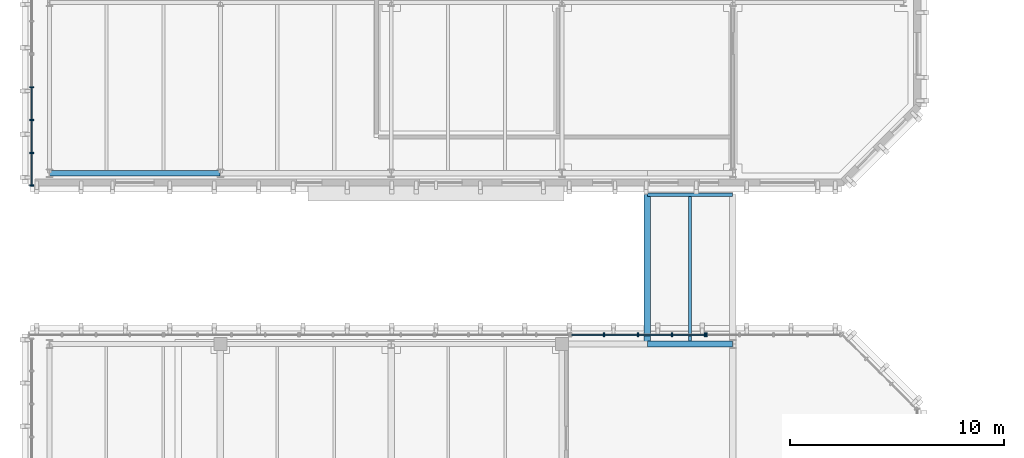
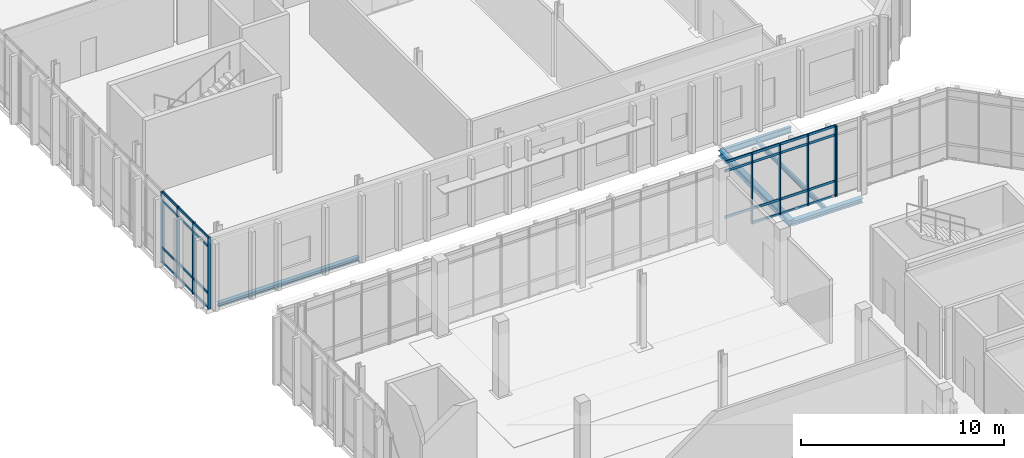
# One storey, part 17 of 62: 36 members, 5 beams, 3 elements without a shape of their own.
"""IFC4 building model written with IfcOpenShell, lengths in metres."""

import ifcopenshell
import ifcopenshell.guid

model = None  # the IFC model being written
_history = None  # IfcOwnerHistory: only IFC2X3 demands one
_inside = {}  # id of a spatial element -> (the spatial element, [elements in it])
_under = {}  # id of a project, library or spatial element -> (it, [spatial elements below it])
_declared = {}  # id of a project -> (the project, [libraries it declares])
_typed = {}  # id of a type object -> (the type object, [elements of that type])
_made_of = {}  # id of a material, layer set ... -> (it, [elements and type objects made of it])


def new_model(schema):
    """Start an empty IFC model of exactly this schema.

    Asked for "IFC4X3", IfcOpenShell would pick the latest addendum, in which some entities
    have other attributes; the version numbers below select the first issue.
    IFC2X3 requires an IfcOwnerHistory on every rooted entity: one is made here for all.
    """
    global model, _history
    if schema == "IFC4X3":
        model = ifcopenshell.file(schema_version=(4, 3, 0, 0))
    else:
        model = ifcopenshell.file(schema=schema)
    _inside.clear()
    _under.clear()
    _declared.clear()
    _typed.clear()
    _made_of.clear()
    _history = None
    if model.schema == "IFC2X3":
        org = make("IfcOrganization", Name="unknown")
        user = make(
            "IfcPersonAndOrganization",
            ThePerson=make("IfcPerson", FamilyName="unknown"),
            TheOrganization=org,
        )
        app = make(
            "IfcApplication",
            ApplicationDeveloper=org,
            Version="unknown",
            ApplicationFullName="unknown",
            ApplicationIdentifier="unknown",
        )
        _history = make(
            "IfcOwnerHistory",
            OwningUser=user,
            OwningApplication=app,
            ChangeAction="ADDED",
            CreationDate=0,
        )
    return model


def make(cls, **values):
    """One entity of the class cls with the attributes given. An attribute that is None is left unset."""
    return model.create_entity(
        cls, **{name: value for name, value in values.items() if value is not None}
    )


def rooted(cls, **values):
    """An entity with a GlobalId (a new one), such as an element, a storey or a relation."""
    return make(cls, GlobalId=ifcopenshell.guid.new(), OwnerHistory=_history, **values)


def si_unit(unit_type, name, prefix=None):
    """IfcSIUnit, for example si_unit("LENGTHUNIT", "METRE", prefix="MILLI")."""
    return make("IfcSIUnit", UnitType=unit_type, Prefix=prefix, Name=name)


def assignment(units):
    """IfcUnitAssignment: the units of a project."""
    return None if units is None else make("IfcUnitAssignment", Units=units)


def point(xyz):
    """IfcCartesianPoint."""
    return None if xyz is None else make("IfcCartesianPoint", Coordinates=xyz)


def direction(xyz):
    """IfcDirection."""
    return None if xyz is None else make("IfcDirection", DirectionRatios=xyz)


def frame(location, z_axis=None, x_axis=None):
    """IfcAxis2Placement3D, a coordinate frame: its origin and axes. An axis left out is left unset."""
    return make(
        "IfcAxis2Placement3D",
        Location=point(location),
        Axis=direction(z_axis),
        RefDirection=direction(x_axis),
    )


def frame_2d(location, x_axis=None):
    """IfcAxis2Placement2D, a coordinate frame in the plane: its origin and x axis."""
    return make(
        "IfcAxis2Placement2D", Location=point(location), RefDirection=direction(x_axis)
    )


def origin():
    """The frame at (0, 0, 0) with its axes left unset."""
    return frame((0.0, 0.0, 0.0))


def origin_2d():
    """The frame at (0, 0) in the plane with its x axis left unset."""
    return frame_2d((0.0, 0.0))


def place(relative_to, where):
    """IfcLocalPlacement: puts the frame where relative to a parent placement (None: the world)."""
    return make(
        "IfcLocalPlacement", PlacementRelTo=relative_to, RelativePlacement=where
    )


def context(
    kind, dimensions, precision=None, world=None, true_north=None, identifier=None
):
    """IfcGeometricRepresentationContext, for example the 3D "Model" context."""
    return make(
        "IfcGeometricRepresentationContext",
        ContextIdentifier=identifier,
        ContextType=kind,
        CoordinateSpaceDimension=dimensions,
        Precision=precision,
        WorldCoordinateSystem=world,
        TrueNorth=true_north,
    )


def subcontext(parent, identifier, kind, view, scale=None):
    """IfcGeometricRepresentationSubContext, for example "Body" below "Model"."""
    return make(
        "IfcGeometricRepresentationSubContext",
        ContextIdentifier=identifier,
        ContextType=kind,
        ParentContext=parent,
        TargetScale=scale,
        TargetView=view,
    )


def project(units=None, contexts=None):
    """IfcProject with its units and contexts."""
    return rooted(
        "IfcProject",
        Name="project",
        RepresentationContexts=contexts,
        UnitsInContext=assignment(units),
    )


def spatial(cls, under=None, at=None, **own):
    """A site, building, storey or space (cls), placed at a placement, below another one or the project."""
    s = rooted(cls, ObjectPlacement=at, **own)
    if under is not None:
        _under.setdefault(under.id(), (under, []))[1].append(s)
    return s


def profile(cls, at=None, kind="AREA", **sizes):
    """A parametric profile (cls). Its sizes go by their IFC names, for example OverallWidth=200.0."""
    return make(cls, ProfileType=kind, Position=at, **sizes)


def rectangle(**sizes):
    """IfcRectangleProfileDef."""
    return profile("IfcRectangleProfileDef", **sizes)


def i_section(**sizes):
    """IfcIShapeProfileDef."""
    return profile("IfcIShapeProfileDef", **sizes)


def extrude(swept, where, along, depth):
    """IfcExtrudedAreaSolid: the profile swept, set in the frame where, extruded along a direction by depth."""
    return make(
        "IfcExtrudedAreaSolid",
        SweptArea=swept,
        Position=where,
        ExtrudedDirection=direction(along),
        Depth=depth,
    )


def shape(context_of_items, identifier, shape_type, items):
    """IfcShapeRepresentation: the items that make up one representation, for example the "Body"."""
    return make(
        "IfcShapeRepresentation",
        ContextOfItems=context_of_items,
        RepresentationIdentifier=identifier,
        RepresentationType=shape_type,
        Items=items,
    )


def material(Name=None, Category=None):
    """IfcMaterial."""
    return make("IfcMaterial", Name=Name, Category=Category)


def material_profile(
    of_material, cross_section, Name=None, Category=None, Priority=None
):
    """IfcMaterialProfile: a cross section and its material."""
    return make(
        "IfcMaterialProfile",
        Name=Name,
        Material=of_material,
        Profile=cross_section,
        Priority=Priority,
        Category=Category,
    )


def profile_set(profiles, Name=None, composite=None):
    """IfcMaterialProfileSet."""
    return make(
        "IfcMaterialProfileSet",
        Name=Name,
        MaterialProfiles=profiles,
        CompositeProfile=composite,
    )


def made_of(thing, what):
    """Note that an element or type object is made of a material, layer set ...; save() writes the relation."""
    if what is not None:
        _made_of.setdefault(what.id(), (what, []))[1].append(thing)
    return thing


def type_object(cls, material=None, **own):
    """A type object (cls), such as IfcWallType, which elements share."""
    return made_of(rooted(cls, **own), material)


def element(
    cls,
    number,
    at=None,
    inside=None,
    cuts=None,
    type_object=None,
    material=None,
    context=None,
    identifier="Body",
    shape_type=None,
    held_by="IfcProductDefinitionShape",
    body=None,
    shapes=None,
    **own,
):
    """One element of the class cls, such as IfcWall. Its Tag is "e" and its number.

    at: its placement. inside: the storey or other place that contains it. cuts: it is an
    opening in that element (IfcRelVoidsElement). A single representation is given by context,
    identifier, shape_type and body (its items); several are given by shapes. held_by: the class
    of the entity that holds the representations. save() writes the other relations.
    """
    e = rooted(cls, Tag="e%d" % number, ObjectPlacement=at, **own)
    if body is not None:
        shapes = [shape(context, identifier, shape_type, body)]
    if shapes is not None:
        e.Representation = make(held_by, Representations=shapes)
    if inside is not None:
        _inside.setdefault(inside.id(), (inside, []))[1].append(e)
    if cuts is not None:
        rooted(
            "IfcRelVoidsElement", RelatingBuildingElement=cuts, RelatedOpeningElement=e
        )
    if type_object is not None:
        _typed.setdefault(type_object.id(), (type_object, []))[1].append(e)
    return made_of(e, material)


def aggregate(whole, parts):
    """IfcRelAggregates: a whole, such as a stair, and the parts it consists of."""
    return rooted("IfcRelAggregates", RelatingObject=whole, RelatedObjects=parts)


def save(model, path):
    """Write the relations noted so far, then the file.

    IfcRelAggregates (storeys below a building ...), IfcRelContainedInSpatialStructure (elements
    in a storey), IfcRelDefinesByType, IfcRelAssociatesMaterial and IfcRelDeclares: one each for
    every whole, place, type object, material and project.
    """
    for whole, parts in _under.values():
        aggregate(whole, parts)
    for where, things in _inside.values():
        rooted(
            "IfcRelContainedInSpatialStructure",
            RelatedElements=things,
            RelatingStructure=where,
        )
    for kind, things in _typed.values():
        rooted("IfcRelDefinesByType", RelatedObjects=things, RelatingType=kind)
    for what, things in _made_of.values():
        rooted("IfcRelAssociatesMaterial", RelatedObjects=things, RelatingMaterial=what)
    for by, libraries in _declared.values():
        rooted("IfcRelDeclares", RelatingContext=by, RelatedDefinitions=libraries)
    model.write(path)


model = new_model("IFC4")

# Units and contexts
model_context = context("Model", 3, precision=1e-05, world=origin(), true_north=direction((0.0, 1.0)))
body_context = subcontext(model_context, "Body", "Model", "MODEL_VIEW")
ifc_project = project(units=[si_unit("LENGTHUNIT", "METRE"), si_unit("AREAUNIT", "SQUARE_METRE"), si_unit("VOLUMEUNIT", "CUBIC_METRE"), si_unit("PLANEANGLEUNIT", "RADIAN"), si_unit("MASSUNIT", "GRAM", prefix="KILO")], contexts=[model_context])

# Site, building, storey
site_placement = place(None, origin())
site = spatial("IfcSite", under=ifc_project, at=site_placement, CompositionType="ELEMENT")
building_placement = place(site_placement, origin())
building = spatial("IfcBuilding", under=site, at=building_placement, Name="Cymarion Research Institute", CompositionType="ELEMENT")
storey_placement = place(building_placement, frame((0.0, 0.0, 18.300048828125)))
storey = spatial("IfcBuildingStorey", under=building, at=storey_placement, Name="L04", CompositionType="ELEMENT", Elevation=18.300048828125)

# Curtain wall, member
ifc_material_1 = material(Name="Anodised aluminium unitised curtain wall with Low-E glazing", Category="aluminium")
curtain_wall_type_1 = type_object("IfcCurtainWallType", Name="UNITISED CURTAIN WALL CW42 6350X4240", PredefinedType="NOTDEFINED", material=ifc_material_1)
curtain_wall_1_placement = place(storey_placement, origin())
curtain_wall_1 = element("IfcCurtainWall", 1, at=curtain_wall_1_placement, inside=storey, type_object=curtain_wall_type_1, Name="L04 V4 unitised curtain wall CW42 #182", PredefinedType="NOTDEFINED")
ifc_material_2 = material(Name="Anodised aluminium framing", Category="aluminium")
ifc_material_profile_1 = material_profile(ifc_material_2, rectangle(XDim=0.06005859375, YDim=0.179931640625, at=origin_2d()), Name="ALU MULLION 60x180")
ifc_profile_set_1 = profile_set([ifc_material_profile_1], Name="Anodised aluminium framing")
member_type_1 = type_object("IfcMemberType", Name="CURTAIN WALL MULLION ML01 60X180", PredefinedType="MULLION", material=ifc_profile_set_1)
member_1_placement = place(storey_placement, frame((37.361083984375, 77.929931640625, 0.0), z_axis=(0.0, 0.0, 1.0), x_axis=(-1.0, 0.0, 0.0)))
member_1 = element("IfcMember", 2, at=member_1_placement, type_object=member_type_1, Name="CW42 mullion 5", PredefinedType="MULLION", context=body_context, shape_type="SweptSolid", body=[
    extrude(rectangle(XDim=0.06005859375, YDim=0.179931640625, at=origin_2d()), origin(), (0.0, 0.0, 1.0), 4.239990234375),
])
aggregate(curtain_wall_1, [member_1])

# Curtain wall, members
curtain_wall_2_placement = place(storey_placement, origin())
curtain_wall_2 = element("IfcCurtainWall", 3, at=curtain_wall_2_placement, inside=storey, type_object=curtain_wall_type_1, Name="L04 V4 unitised curtain wall CW42 #183", PredefinedType="NOTDEFINED")
member_2_placement = place(storey_placement, frame((37.301025390625, 77.929931640625, 0.0), z_axis=(0.0, 0.0, 1.0), x_axis=(-1.0, 0.0, 0.0)))
member_2 = element("IfcMember", 4, at=member_2_placement, type_object=member_type_1, Name="CW42 mullion 1", PredefinedType="MULLION", context=body_context, shape_type="SweptSolid", body=[
    extrude(rectangle(XDim=0.06005859375, YDim=0.179931640625, at=origin_2d()), origin(), (0.0, 0.0, 1.0), 4.239990234375),
])
member_3_placement = place(storey_placement, frame((35.744384765625, 77.929931640625, 0.0), z_axis=(0.0, 0.0, 1.0), x_axis=(-1.0, 0.0, 0.0)))
member_3 = element("IfcMember", 5, at=member_3_placement, type_object=member_type_1, Name="CW42 mullion 2", PredefinedType="MULLION", context=body_context, shape_type="SweptSolid", body=[
    extrude(rectangle(XDim=0.06005859375, YDim=0.179931640625, at=origin_2d()), origin(), (0.0, 0.0, 1.0), 4.239990234375),
])
member_4_placement = place(storey_placement, frame((34.157958984375, 77.929931640625, 0.0), z_axis=(0.0, 0.0, 1.0), x_axis=(-1.0, 0.0, 0.0)))
member_4 = element("IfcMember", 6, at=member_4_placement, type_object=member_type_1, Name="CW42 mullion 3", PredefinedType="MULLION", context=body_context, shape_type="SweptSolid", body=[
    extrude(rectangle(XDim=0.06005859375, YDim=0.179931640625, at=origin_2d()), origin(), (0.0, 0.0, 1.0), 4.239990234375),
])
member_5_placement = place(storey_placement, frame((32.5712890625, 77.929931640625, 0.0), z_axis=(0.0, 0.0, 1.0), x_axis=(-1.0, 0.0, 0.0)))
member_5 = element("IfcMember", 7, at=member_5_placement, type_object=member_type_1, Name="CW42 mullion 4", PredefinedType="MULLION", context=body_context, shape_type="SweptSolid", body=[
    extrude(rectangle(XDim=0.06005859375, YDim=0.179931640625, at=origin_2d()), origin(), (0.0, 0.0, 1.0), 4.239990234375),
])

curtain_wall_type_2 = type_object("IfcCurtainWallType", Name="UNITISED CURTAIN WALL CW45 6180X4280", PredefinedType="NOTDEFINED", material=ifc_material_1)
curtain_wall_3_placement = place(storey_placement, origin())
curtain_wall_3 = element("IfcCurtainWall", 8, at=curtain_wall_3_placement, inside=storey, type_object=curtain_wall_type_2, Name="L04 V5 unitised curtain wall CW45 #199", PredefinedType="NOTDEFINED")
member_6_placement = place(storey_placement, frame((5.77001953125, 89.53173828125, 0.0), z_axis=(0.0, 0.0, 1.0), x_axis=(0.0, -1.0, 0.0)))
member_6 = element("IfcMember", 9, at=member_6_placement, type_object=member_type_1, Name="CW45 mullion 2", PredefinedType="MULLION", context=body_context, shape_type="SweptSolid", body=[
    extrude(rectangle(XDim=0.06005859375, YDim=0.179931640625, at=origin_2d()), origin(), (0.0, 0.0, 1.0), 4.280029296875),
])
member_7_placement = place(storey_placement, frame((5.77001953125, 87.98779296875, 0.0), z_axis=(0.0, 0.0, 1.0), x_axis=(0.0, -1.0, 0.0)))
member_7 = element("IfcMember", 10, at=member_7_placement, type_object=member_type_1, Name="CW45 mullion 3", PredefinedType="MULLION", context=body_context, shape_type="SweptSolid", body=[
    extrude(rectangle(XDim=0.06005859375, YDim=0.179931640625, at=origin_2d()), origin(), (0.0, 0.0, 1.0), 4.280029296875),
])
member_8_placement = place(storey_placement, frame((5.77001953125, 86.44384765625, 0.0), z_axis=(0.0, 0.0, 1.0), x_axis=(0.0, -1.0, 0.0)))
member_8 = element("IfcMember", 11, at=member_8_placement, type_object=member_type_1, Name="CW45 mullion 4", PredefinedType="MULLION", context=body_context, shape_type="SweptSolid", body=[
    extrude(rectangle(XDim=0.06005859375, YDim=0.179931640625, at=origin_2d()), origin(), (0.0, 0.0, 1.0), 4.280029296875),
])
member_9_placement = place(storey_placement, frame((5.77001953125, 84.929931640625, 0.0), z_axis=(0.0, 0.0, 1.0), x_axis=(0.0, -1.0, 0.0)))
member_9 = element("IfcMember", 12, at=member_9_placement, type_object=member_type_1, Name="CW45 mullion 5", PredefinedType="MULLION", context=body_context, shape_type="SweptSolid", body=[
    extrude(rectangle(XDim=0.06005859375, YDim=0.179931640625, at=origin_2d()), origin(), (0.0, 0.0, 1.0), 4.280029296875),
])

# Member
ifc_material_profile_2 = material_profile(ifc_material_2, rectangle(XDim=0.06005859375, YDim=0.14990234375, at=origin_2d()), Name="ALU TRANSOM 60x150")
ifc_profile_set_2 = profile_set([ifc_material_profile_2], Name="Anodised aluminium framing")
member_type_2 = type_object("IfcMemberType", Name="CURTAIN WALL TRANSOM TR01 60X150", PredefinedType="USERDEFINED", material=ifc_profile_set_2)
member_10_placement = place(storey_placement, frame((37.27099609375, 77.929931640625, 0.030029296875), z_axis=(-1.0, 0.0, 0.0), x_axis=(0.0, -1.0, 0.0)))
member_10 = element("IfcMember", 13, at=member_10_placement, type_object=member_type_2, Name="CW42 transom 1.1", ObjectType="TRANSOM", PredefinedType="USERDEFINED", context=body_context, shape_type="SweptSolid", body=[
    extrude(rectangle(XDim=0.06005859375, YDim=0.14990234375, at=origin_2d()), origin(), (0.0, 0.0, 1.0), 1.49658203125),
])

member_11_placement = place(storey_placement, frame((37.27099609375, 77.929931640625, 0.89990234375), z_axis=(-1.0, 0.0, 0.0), x_axis=(0.0, -1.0, 0.0)))
member_11 = element("IfcMember", 14, at=member_11_placement, type_object=member_type_2, Name="CW42 transom 1.2", ObjectType="TRANSOM", PredefinedType="USERDEFINED", context=body_context, shape_type="SweptSolid", body=[
    extrude(rectangle(XDim=0.06005859375, YDim=0.14990234375, at=origin_2d()), origin(), (0.0, 0.0, 1.0), 1.49658203125),
])

member_12_placement = place(storey_placement, frame((37.27099609375, 77.929931640625, 3.68994140625), z_axis=(-1.0, 0.0, 0.0), x_axis=(0.0, -1.0, 0.0)))
member_12 = element("IfcMember", 15, at=member_12_placement, type_object=member_type_2, Name="CW42 transom 1.3", ObjectType="TRANSOM", PredefinedType="USERDEFINED", context=body_context, shape_type="SweptSolid", body=[
    extrude(rectangle(XDim=0.06005859375, YDim=0.14990234375, at=origin_2d()), origin(), (0.0, 0.0, 1.0), 1.49658203125),
])

member_13_placement = place(storey_placement, frame((37.27099609375, 77.929931640625, 4.2099609375), z_axis=(-1.0, 0.0, 0.0), x_axis=(0.0, -1.0, 0.0)))
member_13 = element("IfcMember", 16, at=member_13_placement, type_object=member_type_2, Name="CW42 transom 1.4", ObjectType="TRANSOM", PredefinedType="USERDEFINED", context=body_context, shape_type="SweptSolid", body=[
    extrude(rectangle(XDim=0.06005859375, YDim=0.14990234375, at=origin_2d()), origin(), (0.0, 0.0, 1.0), 1.49658203125),
])

member_14_placement = place(storey_placement, frame((35.71435546875, 77.929931640625, 0.030029296875), z_axis=(-1.0, 0.0, 0.0), x_axis=(0.0, -1.0, 0.0)))
member_14 = element("IfcMember", 17, at=member_14_placement, type_object=member_type_2, Name="CW42 transom 2.1", ObjectType="TRANSOM", PredefinedType="USERDEFINED", context=body_context, shape_type="SweptSolid", body=[
    extrude(rectangle(XDim=0.06005859375, YDim=0.14990234375, at=origin_2d()), origin(), (0.0, 0.0, 1.0), 1.5263671875),
])

member_15_placement = place(storey_placement, frame((35.71435546875, 77.929931640625, 0.89990234375), z_axis=(-1.0, 0.0, 0.0), x_axis=(0.0, -1.0, 0.0)))
member_15 = element("IfcMember", 18, at=member_15_placement, type_object=member_type_2, Name="CW42 transom 2.2", ObjectType="TRANSOM", PredefinedType="USERDEFINED", context=body_context, shape_type="SweptSolid", body=[
    extrude(rectangle(XDim=0.06005859375, YDim=0.14990234375, at=origin_2d()), origin(), (0.0, 0.0, 1.0), 1.5263671875),
])

member_16_placement = place(storey_placement, frame((35.71435546875, 77.929931640625, 3.68994140625), z_axis=(-1.0, 0.0, 0.0), x_axis=(0.0, -1.0, 0.0)))
member_16 = element("IfcMember", 19, at=member_16_placement, type_object=member_type_2, Name="CW42 transom 2.3", ObjectType="TRANSOM", PredefinedType="USERDEFINED", context=body_context, shape_type="SweptSolid", body=[
    extrude(rectangle(XDim=0.06005859375, YDim=0.14990234375, at=origin_2d()), origin(), (0.0, 0.0, 1.0), 1.5263671875),
])

member_17_placement = place(storey_placement, frame((35.71435546875, 77.929931640625, 4.2099609375), z_axis=(-1.0, 0.0, 0.0), x_axis=(0.0, -1.0, 0.0)))
member_17 = element("IfcMember", 20, at=member_17_placement, type_object=member_type_2, Name="CW42 transom 2.4", ObjectType="TRANSOM", PredefinedType="USERDEFINED", context=body_context, shape_type="SweptSolid", body=[
    extrude(rectangle(XDim=0.06005859375, YDim=0.14990234375, at=origin_2d()), origin(), (0.0, 0.0, 1.0), 1.5263671875),
])

member_18_placement = place(storey_placement, frame((34.1279296875, 77.929931640625, 0.030029296875), z_axis=(-1.0, 0.0, 0.0), x_axis=(0.0, -1.0, 0.0)))
member_18 = element("IfcMember", 21, at=member_18_placement, type_object=member_type_2, Name="CW42 transom 3.1", ObjectType="TRANSOM", PredefinedType="USERDEFINED", context=body_context, shape_type="SweptSolid", body=[
    extrude(rectangle(XDim=0.06005859375, YDim=0.14990234375, at=origin_2d()), origin(), (0.0, 0.0, 1.0), 1.526611328125),
])

member_19_placement = place(storey_placement, frame((34.1279296875, 77.929931640625, 0.89990234375), z_axis=(-1.0, 0.0, 0.0), x_axis=(0.0, -1.0, 0.0)))
member_19 = element("IfcMember", 22, at=member_19_placement, type_object=member_type_2, Name="CW42 transom 3.2", ObjectType="TRANSOM", PredefinedType="USERDEFINED", context=body_context, shape_type="SweptSolid", body=[
    extrude(rectangle(XDim=0.06005859375, YDim=0.14990234375, at=origin_2d()), origin(), (0.0, 0.0, 1.0), 1.526611328125),
])

member_20_placement = place(storey_placement, frame((34.1279296875, 77.929931640625, 3.68994140625), z_axis=(-1.0, 0.0, 0.0), x_axis=(0.0, -1.0, 0.0)))
member_20 = element("IfcMember", 23, at=member_20_placement, type_object=member_type_2, Name="CW42 transom 3.3", ObjectType="TRANSOM", PredefinedType="USERDEFINED", context=body_context, shape_type="SweptSolid", body=[
    extrude(rectangle(XDim=0.06005859375, YDim=0.14990234375, at=origin_2d()), origin(), (0.0, 0.0, 1.0), 1.526611328125),
])

member_21_placement = place(storey_placement, frame((34.1279296875, 77.929931640625, 4.2099609375), z_axis=(-1.0, 0.0, 0.0), x_axis=(0.0, -1.0, 0.0)))
member_21 = element("IfcMember", 24, at=member_21_placement, type_object=member_type_2, Name="CW42 transom 3.4", ObjectType="TRANSOM", PredefinedType="USERDEFINED", context=body_context, shape_type="SweptSolid", body=[
    extrude(rectangle(XDim=0.06005859375, YDim=0.14990234375, at=origin_2d()), origin(), (0.0, 0.0, 1.0), 1.526611328125),
])

member_22_placement = place(storey_placement, frame((32.541259765625, 77.929931640625, 0.89990234375), z_axis=(-1.0, 0.0, 0.0), x_axis=(0.0, -1.0, 0.0)))
member_22 = element("IfcMember", 25, at=member_22_placement, type_object=member_type_2, Name="CW42 transom 4.2", ObjectType="TRANSOM", PredefinedType="USERDEFINED", context=body_context, shape_type="SweptSolid", body=[
    extrude(rectangle(XDim=0.06005859375, YDim=0.14990234375, at=origin_2d()), origin(), (0.0, 0.0, 1.0), 1.496337890625),
])

member_23_placement = place(storey_placement, frame((32.541259765625, 77.929931640625, 3.68994140625), z_axis=(-1.0, 0.0, 0.0), x_axis=(0.0, -1.0, 0.0)))
member_23 = element("IfcMember", 26, at=member_23_placement, type_object=member_type_2, Name="CW42 transom 4.3", ObjectType="TRANSOM", PredefinedType="USERDEFINED", context=body_context, shape_type="SweptSolid", body=[
    extrude(rectangle(XDim=0.06005859375, YDim=0.14990234375, at=origin_2d()), origin(), (0.0, 0.0, 1.0), 1.496337890625),
])

member_24_placement = place(storey_placement, frame((32.541259765625, 77.929931640625, 4.2099609375), z_axis=(-1.0, 0.0, 0.0), x_axis=(0.0, -1.0, 0.0)))
member_24 = element("IfcMember", 27, at=member_24_placement, type_object=member_type_2, Name="CW42 transom 4.4", ObjectType="TRANSOM", PredefinedType="USERDEFINED", context=body_context, shape_type="SweptSolid", body=[
    extrude(rectangle(XDim=0.06005859375, YDim=0.14990234375, at=origin_2d()), origin(), (0.0, 0.0, 1.0), 1.496337890625),
])

aggregate(curtain_wall_2, [member_2, member_3, member_4, member_5, member_10, member_11, member_12, member_13, member_14, member_15, member_16, member_17, member_18, member_19, member_20, member_21, member_22, member_23, member_24])

member_25_placement = place(storey_placement, frame((5.77001953125, 89.501708984375, 0.030029296875), z_axis=(0.0, -1.0, 0.0), x_axis=(1.0, 0.0, 0.0)))
member_25 = element("IfcMember", 28, at=member_25_placement, type_object=member_type_2, Name="CW45 transom 2.1", ObjectType="TRANSOM", PredefinedType="USERDEFINED", context=body_context, shape_type="SweptSolid", body=[
    extrude(rectangle(XDim=0.06005859375, YDim=0.14990234375, at=origin_2d()), origin(), (0.0, 0.0, 1.0), 1.48388671875),
])

member_26_placement = place(storey_placement, frame((5.77001953125, 89.501708984375, 0.89990234375), z_axis=(0.0, -1.0, 0.0), x_axis=(1.0, 0.0, 0.0)))
member_26 = element("IfcMember", 29, at=member_26_placement, type_object=member_type_2, Name="CW45 transom 2.2", ObjectType="TRANSOM", PredefinedType="USERDEFINED", context=body_context, shape_type="SweptSolid", body=[
    extrude(rectangle(XDim=0.06005859375, YDim=0.14990234375, at=origin_2d()), origin(), (0.0, 0.0, 1.0), 1.48388671875),
])

member_27_placement = place(storey_placement, frame((5.77001953125, 89.501708984375, 3.72998046875), z_axis=(0.0, -1.0, 0.0), x_axis=(1.0, 0.0, 0.0)))
member_27 = element("IfcMember", 30, at=member_27_placement, type_object=member_type_2, Name="CW45 transom 2.3", ObjectType="TRANSOM", PredefinedType="USERDEFINED", context=body_context, shape_type="SweptSolid", body=[
    extrude(rectangle(XDim=0.06005859375, YDim=0.14990234375, at=origin_2d()), origin(), (0.0, 0.0, 1.0), 1.48388671875),
])

member_28_placement = place(storey_placement, frame((5.77001953125, 89.501708984375, 4.25), z_axis=(0.0, -1.0, 0.0), x_axis=(1.0, 0.0, 0.0)))
member_28 = element("IfcMember", 31, at=member_28_placement, type_object=member_type_2, Name="CW45 transom 2.4", ObjectType="TRANSOM", PredefinedType="USERDEFINED", context=body_context, shape_type="SweptSolid", body=[
    extrude(rectangle(XDim=0.06005859375, YDim=0.14990234375, at=origin_2d()), origin(), (0.0, 0.0, 1.0), 1.48388671875),
])

member_29_placement = place(storey_placement, frame((5.77001953125, 87.957763671875, 0.030029296875), z_axis=(0.0, -1.0, 0.0), x_axis=(1.0, 0.0, 0.0)))
member_29 = element("IfcMember", 32, at=member_29_placement, type_object=member_type_2, Name="CW45 transom 3.1", ObjectType="TRANSOM", PredefinedType="USERDEFINED", context=body_context, shape_type="SweptSolid", body=[
    extrude(rectangle(XDim=0.06005859375, YDim=0.14990234375, at=origin_2d()), origin(), (0.0, 0.0, 1.0), 1.48388671875),
])

member_30_placement = place(storey_placement, frame((5.77001953125, 87.957763671875, 0.89990234375), z_axis=(0.0, -1.0, 0.0), x_axis=(1.0, 0.0, 0.0)))
member_30 = element("IfcMember", 33, at=member_30_placement, type_object=member_type_2, Name="CW45 transom 3.2", ObjectType="TRANSOM", PredefinedType="USERDEFINED", context=body_context, shape_type="SweptSolid", body=[
    extrude(rectangle(XDim=0.06005859375, YDim=0.14990234375, at=origin_2d()), origin(), (0.0, 0.0, 1.0), 1.48388671875),
])

member_31_placement = place(storey_placement, frame((5.77001953125, 87.957763671875, 3.72998046875), z_axis=(0.0, -1.0, 0.0), x_axis=(1.0, 0.0, 0.0)))
member_31 = element("IfcMember", 34, at=member_31_placement, type_object=member_type_2, Name="CW45 transom 3.3", ObjectType="TRANSOM", PredefinedType="USERDEFINED", context=body_context, shape_type="SweptSolid", body=[
    extrude(rectangle(XDim=0.06005859375, YDim=0.14990234375, at=origin_2d()), origin(), (0.0, 0.0, 1.0), 1.48388671875),
])

member_32_placement = place(storey_placement, frame((5.77001953125, 87.957763671875, 4.25), z_axis=(0.0, -1.0, 0.0), x_axis=(1.0, 0.0, 0.0)))
member_32 = element("IfcMember", 35, at=member_32_placement, type_object=member_type_2, Name="CW45 transom 3.4", ObjectType="TRANSOM", PredefinedType="USERDEFINED", context=body_context, shape_type="SweptSolid", body=[
    extrude(rectangle(XDim=0.06005859375, YDim=0.14990234375, at=origin_2d()), origin(), (0.0, 0.0, 1.0), 1.48388671875),
])

member_33_placement = place(storey_placement, frame((5.77001953125, 86.413818359375, 0.030029296875), z_axis=(0.0, -1.0, 0.0), x_axis=(1.0, 0.0, 0.0)))
member_33 = element("IfcMember", 36, at=member_33_placement, type_object=member_type_2, Name="CW45 transom 4.1", ObjectType="TRANSOM", PredefinedType="USERDEFINED", context=body_context, shape_type="SweptSolid", body=[
    extrude(rectangle(XDim=0.06005859375, YDim=0.14990234375, at=origin_2d()), origin(), (0.0, 0.0, 1.0), 1.453857421875),
])

member_34_placement = place(storey_placement, frame((5.77001953125, 86.413818359375, 0.89990234375), z_axis=(0.0, -1.0, 0.0), x_axis=(1.0, 0.0, 0.0)))
member_34 = element("IfcMember", 37, at=member_34_placement, type_object=member_type_2, Name="CW45 transom 4.2", ObjectType="TRANSOM", PredefinedType="USERDEFINED", context=body_context, shape_type="SweptSolid", body=[
    extrude(rectangle(XDim=0.06005859375, YDim=0.14990234375, at=origin_2d()), origin(), (0.0, 0.0, 1.0), 1.453857421875),
])

member_35_placement = place(storey_placement, frame((5.77001953125, 86.413818359375, 3.72998046875), z_axis=(0.0, -1.0, 0.0), x_axis=(1.0, 0.0, 0.0)))
member_35 = element("IfcMember", 38, at=member_35_placement, type_object=member_type_2, Name="CW45 transom 4.3", ObjectType="TRANSOM", PredefinedType="USERDEFINED", context=body_context, shape_type="SweptSolid", body=[
    extrude(rectangle(XDim=0.06005859375, YDim=0.14990234375, at=origin_2d()), origin(), (0.0, 0.0, 1.0), 1.453857421875),
])

member_36_placement = place(storey_placement, frame((5.77001953125, 86.413818359375, 4.25), z_axis=(0.0, -1.0, 0.0), x_axis=(1.0, 0.0, 0.0)))
member_36 = element("IfcMember", 39, at=member_36_placement, type_object=member_type_2, Name="CW45 transom 4.4", ObjectType="TRANSOM", PredefinedType="USERDEFINED", context=body_context, shape_type="SweptSolid", body=[
    extrude(rectangle(XDim=0.06005859375, YDim=0.14990234375, at=origin_2d()), origin(), (0.0, 0.0, 1.0), 1.453857421875),
])

aggregate(curtain_wall_3, [member_6, member_7, member_8, member_9, member_25, member_26, member_27, member_28, member_29, member_30, member_31, member_32, member_33, member_34, member_35, member_36])

# Beams
ifc_material_3 = material(Name="Steel S355", Category="steel")
ifc_material_profile_3 = material_profile(ifc_material_3, i_section(OverallWidth=0.169921875, OverallDepth=0.360107421875, WebThickness=0.008056640625, FlangeThickness=0.0126953125, FilletRadius=0.01806640625, at=origin_2d()), Name="IPE 360")
ifc_profile_set_3 = profile_set([ifc_material_profile_3], Name="Steel S355")
beam_type_1 = type_object("IfcBeamType", Name="PRIMARY GIRDER BM06 IPE 360", PredefinedType="BEAM", material=ifc_profile_set_3)
beam_1_placement = place(storey_placement, frame((34.60595703125, 84.5, -0.420166015625), z_axis=(1.0, 0.0, 0.0), x_axis=(0.0, 1.0, 0.0)))
element("IfcBeam", 40, at=beam_1_placement, inside=storey, type_object=beam_type_1, Name="L04 V4 girder BM06 #1726", PredefinedType="BEAM", context=body_context, shape_type="SweptSolid", body=[
    extrude(i_section(OverallWidth=0.169921875, OverallDepth=0.360107421875, WebThickness=0.008056640625, FlangeThickness=0.0126953125, FilletRadius=0.01806640625, at=origin_2d()), origin(), (0.0, 0.0, 1.0), 3.988037109375),
])
ifc_material_profile_4 = material_profile(ifc_material_3, i_section(OverallWidth=0.300048828125, OverallDepth=0.35009765625, WebThickness=0.010009765625, FlangeThickness=0.017578125, FilletRadius=0.027099609375, at=origin_2d()), Name="HEA 360")
ifc_profile_set_4 = profile_set([ifc_material_profile_4], Name="Steel S355")
beam_type_2 = type_object("IfcBeamType", Name="PRIMARY GIRDER BM12 HEA 360", PredefinedType="BEAM", material=ifc_profile_set_4)
beam_2_placement = place(storey_placement, frame((34.60009765625, 77.506103515625, -0.4150390625), z_axis=(0.0, 1.0, 0.0), x_axis=(-1.0, 0.0, 0.0)))
element("IfcBeam", 41, at=beam_2_placement, inside=storey, type_object=beam_type_2, Name="L04 V4 girder BM12 #1743", PredefinedType="BEAM", context=body_context, shape_type="SweptSolid", body=[
    extrude(i_section(OverallWidth=0.300048828125, OverallDepth=0.35009765625, WebThickness=0.010009765625, FlangeThickness=0.017578125, FilletRadius=0.027099609375, at=origin_2d()), origin(), (0.0, 0.0, 1.0), 6.98779296875),
])
ifc_material_profile_5 = material_profile(ifc_material_3, i_section(OverallWidth=0.135009765625, OverallDepth=0.27001953125, WebThickness=0.006591796875, FlangeThickness=0.01025390625, FilletRadius=0.014892578125, at=origin_2d()), Name="IPE 270")
ifc_profile_set_5 = profile_set([ifc_material_profile_5], Name="Steel S355")
beam_type_3 = type_object("IfcBeamType", Name="SECONDARY JOIST JS03 IPE 270", PredefinedType="JOIST", material=ifc_profile_set_5)
beam_3_placement = place(storey_placement, frame((36.60009765625, 77.64404296875, -0.375), z_axis=(0.0, 1.0, 0.0), x_axis=(-1.0, 0.0, 0.0)))
element("IfcBeam", 42, at=beam_3_placement, inside=storey, type_object=beam_type_3, Name="L04 V4 secondary joist JS03 #1773", PredefinedType="JOIST", context=body_context, shape_type="SweptSolid", body=[
    extrude(i_section(OverallWidth=0.135009765625, OverallDepth=0.27001953125, WebThickness=0.006591796875, FlangeThickness=0.01025390625, FilletRadius=0.014892578125, at=origin_2d()), origin(), (0.0, 0.0, 1.0), 6.766845703125),
])
ifc_material_profile_6 = material_profile(ifc_material_3, i_section(OverallWidth=0.280029296875, OverallDepth=0.27001953125, WebThickness=0.008056640625, FlangeThickness=0.012939453125, FilletRadius=0.02392578125, at=origin_2d()), Name="HEA 280")
ifc_profile_set_6 = profile_set([ifc_material_profile_6], Name="Steel S355")
beam_type_4 = type_object("IfcBeamType", Name="SPANDREL BEAM SPB02 HEA 280", PredefinedType="SPANDREL", material=ifc_profile_set_6)
beam_4_placement = place(storey_placement, frame((34.60595703125, 77.5, -0.385009765625), z_axis=(1.0, 0.0, 0.0), x_axis=(0.0, 1.0, 0.0)))
element("IfcBeam", 43, at=beam_4_placement, inside=storey, type_object=beam_type_4, Name="L04 V4 girder SPB02 #1725", PredefinedType="SPANDREL", context=body_context, shape_type="SweptSolid", body=[
    extrude(i_section(OverallWidth=0.280029296875, OverallDepth=0.27001953125, WebThickness=0.008056640625, FlangeThickness=0.012939453125, FilletRadius=0.02392578125, at=origin_2d()), origin(), (0.0, 0.0, 1.0), 3.988037109375),
])
ifc_material_profile_7 = material_profile(ifc_material_3, i_section(OverallWidth=0.239990234375, OverallDepth=0.22998046875, WebThickness=0.007568359375, FlangeThickness=0.011962890625, FilletRadius=0.02099609375, at=origin_2d()), Name="HEA 240")
ifc_profile_set_7 = profile_set([ifc_material_profile_7], Name="Steel S355")
beam_type_5 = type_object("IfcBeamType", Name="SPANDREL BEAM SPB03 HEA 240", PredefinedType="SPANDREL", material=ifc_profile_set_7)
beam_5_placement = place(storey_placement, frame((6.60595703125, 85.5, -0.364990234375), z_axis=(1.0, 0.0, 0.0), x_axis=(0.0, 1.0, 0.0)))
element("IfcBeam", 44, at=beam_5_placement, inside=storey, type_object=beam_type_5, Name="L04 V5 girder SPB03 #1774", PredefinedType="SPANDREL", context=body_context, shape_type="SweptSolid", body=[
    extrude(i_section(OverallWidth=0.239990234375, OverallDepth=0.22998046875, WebThickness=0.007568359375, FlangeThickness=0.011962890625, FilletRadius=0.02099609375, at=origin_2d()), origin(), (0.0, 0.0, 1.0), 7.988037109375),
])

save(model, "model.ifc")
